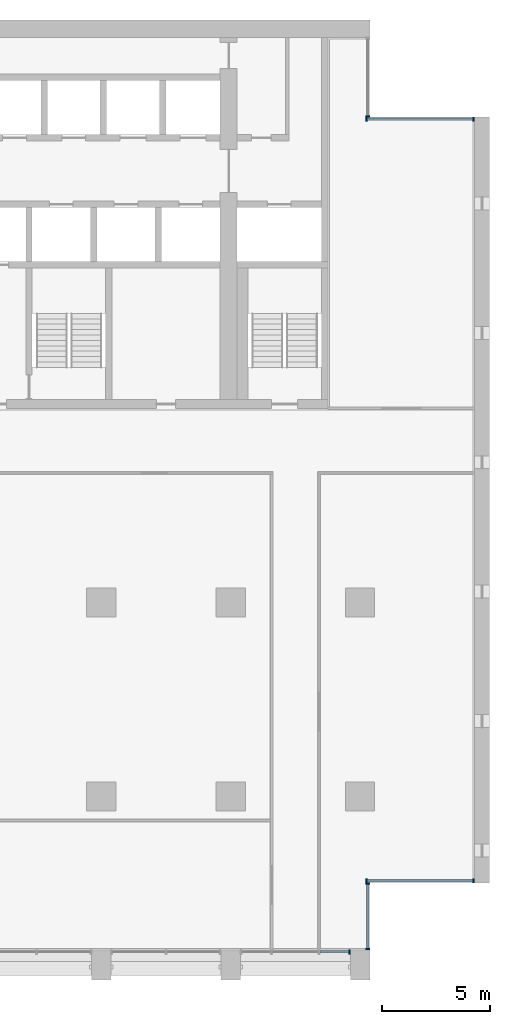
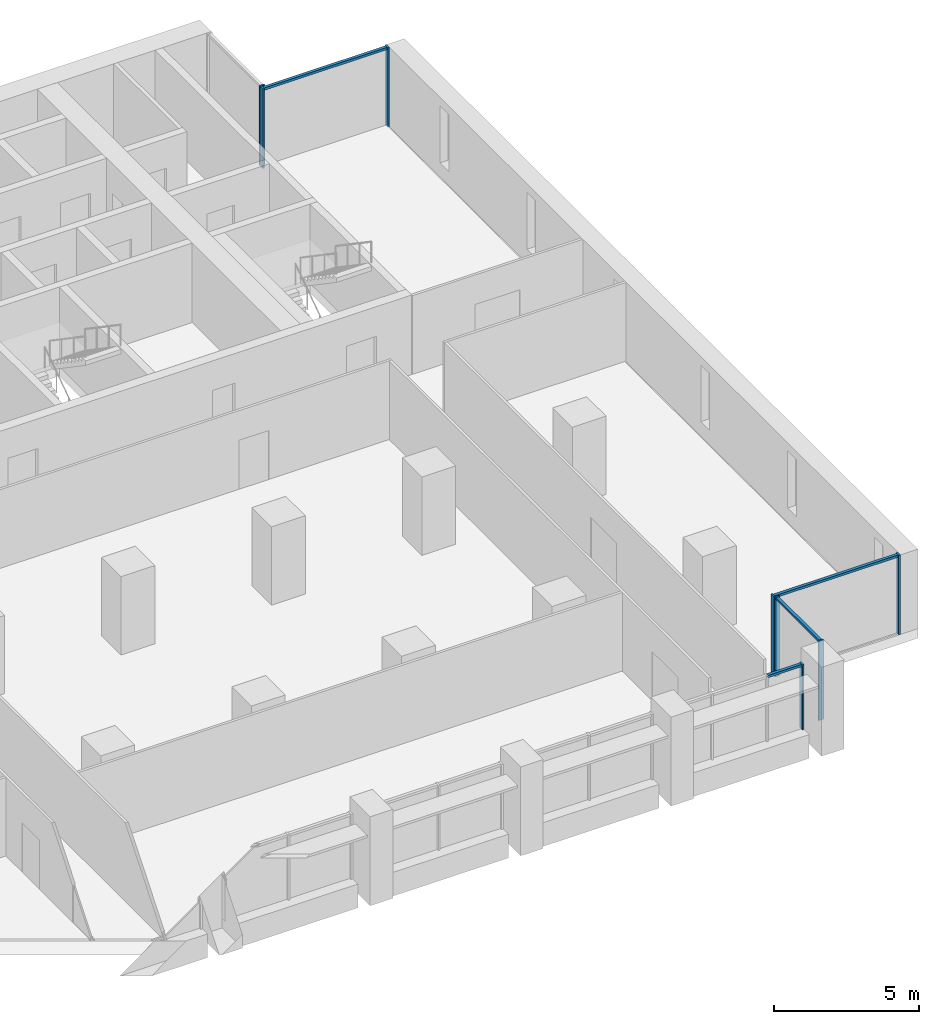
# One storey, part 5 of 15: 12 members, 5 elements without a shape of their own.
"""IFC4 building model written with IfcOpenShell, lengths in metres."""

from ifc_helpers import new_model, si_unit, direction, frame, origin, origin_2d, place, context, subcontext, project, spatial, rectangle, extrude, material, material_profile, profile_set, type_object, element, aggregate, save


model = new_model("IFC4")

# Units and contexts
model_context = context("Model", 3, precision=1e-05, world=origin(), true_north=direction((0.0, 1.0)))
body_context = subcontext(model_context, "Body", "Model", "MODEL_VIEW")
ifc_project = project(units=[si_unit("LENGTHUNIT", "METRE"), si_unit("AREAUNIT", "SQUARE_METRE"), si_unit("VOLUMEUNIT", "CUBIC_METRE"), si_unit("PLANEANGLEUNIT", "RADIAN"), si_unit("MASSUNIT", "GRAM", prefix="KILO")], contexts=[model_context])

# Site, building, storey
site_placement = place(None, origin())
site = spatial("IfcSite", under=ifc_project, at=site_placement, CompositionType="ELEMENT")
building_placement = place(site_placement, origin())
building = spatial("IfcBuilding", under=site, at=building_placement, Name="Calvaro Tower", CompositionType="ELEMENT")
storey_placement = place(building_placement, frame((0.0, 0.0, 117.5)))
storey = spatial("IfcBuildingStorey", under=building, at=storey_placement, Name="L29", CompositionType="ELEMENT", Elevation=117.5)

# Curtain wall, member
ifc_material_1 = material(Name="Anodised aluminium", Category="aluminium")
curtain_wall_type = type_object("IfcCurtainWallType", Name="Office curtain wall, middle zone", PredefinedType="NOTDEFINED", material=ifc_material_1)
curtain_wall_1_placement = place(storey_placement, origin())
curtain_wall_1 = element("IfcCurtainWall", 1, at=curtain_wall_1_placement, inside=storey, type_object=curtain_wall_type, Name="CW2 south curtain wall", PredefinedType="NOTDEFINED")
ifc_material_2 = material(Name="Anodised aluminium", Category="aluminium")
ifc_material_profile_1 = material_profile(ifc_material_2, rectangle(XDim=0.199951171875, YDim=0.070068359375, at=origin_2d()), Name="Mullion S2 70 x 200")
ifc_profile_set_1 = profile_set([ifc_material_profile_1], Name="Anodised aluminium")
member_type_1 = type_object("IfcMemberType", Name="Mullion S2 70 x 200", PredefinedType="MULLION", material=ifc_profile_set_1)
member_1_placement = place(storey_placement, frame((65.514892578125, 2.800048828125, 0.0), z_axis=(0.0, 0.0, 1.0), x_axis=(0.0, 1.0, 0.0)))
member_1 = element("IfcMember", 2, at=member_1_placement, type_object=member_type_1, Name="CW2 mullion 4", PredefinedType="MULLION", context=body_context, shape_type="SweptSolid", body=[
    extrude(rectangle(XDim=0.199951171875, YDim=0.070068359375, at=origin_2d()), origin(), (0.0, 0.0, 1.0), 2.75),
])

# Curtain wall, members
curtain_wall_2_placement = place(storey_placement, origin())
curtain_wall_2 = element("IfcCurtainWall", 3, at=curtain_wall_2_placement, inside=storey, type_object=curtain_wall_type, Name="CW2 corner curtain wall", PredefinedType="NOTDEFINED")
member_2_placement = place(storey_placement, frame((66.35009765625, 2.93505859375, 0.0), z_axis=(0.0, 0.0, 1.0), x_axis=(-1.0, 0.0, 0.0)))
member_2 = element("IfcMember", 4, at=member_2_placement, type_object=member_type_1, Name="CW2 mullion 1", PredefinedType="MULLION", context=body_context, shape_type="SweptSolid", body=[
    extrude(rectangle(XDim=0.199951171875, YDim=0.070068359375, at=origin_2d()), origin(), (0.0, 0.0, 1.0), 3.35009765625),
])
member_3_placement = place(storey_placement, frame((66.35009765625, 5.965087890625, 0.0), z_axis=(0.0, 0.0, 1.0), x_axis=(-1.0, 0.0, 0.0)))
member_3 = element("IfcMember", 5, at=member_3_placement, type_object=member_type_1, Name="CW2 mullion 2", PredefinedType="MULLION", context=body_context, shape_type="SweptSolid", body=[
    extrude(rectangle(XDim=0.199951171875, YDim=0.070068359375, at=origin_2d()), origin(), (0.0, 0.0, 1.0), 3.35009765625),
])

curtain_wall_3_placement = place(storey_placement, origin())
curtain_wall_3 = element("IfcCurtainWall", 6, at=curtain_wall_3_placement, inside=storey, type_object=curtain_wall_type, Name="CW2 corner curtain wall", PredefinedType="NOTDEFINED")
member_4_placement = place(storey_placement, frame((66.284912109375, 6.10009765625, 0.0), z_axis=(0.0, 0.0, 1.0), x_axis=(0.0, 1.0, 0.0)))
member_4 = element("IfcMember", 7, at=member_4_placement, type_object=member_type_1, Name="CW2 mullion 1", PredefinedType="MULLION", context=body_context, shape_type="SweptSolid", body=[
    extrude(rectangle(XDim=0.199951171875, YDim=0.070068359375, at=origin_2d()), origin(), (0.0, 0.0, 1.0), 3.35009765625),
])
member_5_placement = place(storey_placement, frame((71.264892578125, 6.10009765625, 0.0), z_axis=(0.0, 0.0, 1.0), x_axis=(0.0, 1.0, 0.0)))
member_5 = element("IfcMember", 8, at=member_5_placement, type_object=member_type_1, Name="CW2 mullion 2", PredefinedType="MULLION", context=body_context, shape_type="SweptSolid", body=[
    extrude(rectangle(XDim=0.199951171875, YDim=0.070068359375, at=origin_2d()), origin(), (0.0, 0.0, 1.0), 3.35009765625),
])

# Curtain wall, member
curtain_wall_4_placement = place(storey_placement, origin())
curtain_wall_4 = element("IfcCurtainWall", 9, at=curtain_wall_4_placement, inside=storey, type_object=curtain_wall_type, Name="CW2 corner curtain wall", PredefinedType="NOTDEFINED")
member_6_placement = place(storey_placement, frame((66.35009765625, 41.534912109375, 0.0), z_axis=(0.0, 0.0, 1.0), x_axis=(-1.0, 0.0, 0.0)))
member_6 = element("IfcMember", 10, at=member_6_placement, type_object=member_type_1, Name="CW2 mullion 1", PredefinedType="MULLION", context=body_context, shape_type="SweptSolid", body=[
    extrude(rectangle(XDim=0.199951171875, YDim=0.070068359375, at=origin_2d()), origin(), (0.0, 0.0, 1.0), 3.35009765625),
])
aggregate(curtain_wall_4, [member_6])

# Curtain wall, members
curtain_wall_5_placement = place(storey_placement, origin())
curtain_wall_5 = element("IfcCurtainWall", 11, at=curtain_wall_5_placement, inside=storey, type_object=curtain_wall_type, Name="CW2 corner curtain wall", PredefinedType="NOTDEFINED")
member_7_placement = place(storey_placement, frame((66.284912109375, 41.39990234375, 0.0), z_axis=(0.0, 0.0, 1.0), x_axis=(0.0, 1.0, 0.0)))
member_7 = element("IfcMember", 12, at=member_7_placement, type_object=member_type_1, Name="CW2 mullion 1", PredefinedType="MULLION", context=body_context, shape_type="SweptSolid", body=[
    extrude(rectangle(XDim=0.199951171875, YDim=0.070068359375, at=origin_2d()), origin(), (0.0, 0.0, 1.0), 3.35009765625),
])
member_8_placement = place(storey_placement, frame((71.264892578125, 41.39990234375, 0.0), z_axis=(0.0, 0.0, 1.0), x_axis=(0.0, 1.0, 0.0)))
member_8 = element("IfcMember", 13, at=member_8_placement, type_object=member_type_1, Name="CW2 mullion 2", PredefinedType="MULLION", context=body_context, shape_type="SweptSolid", body=[
    extrude(rectangle(XDim=0.199951171875, YDim=0.070068359375, at=origin_2d()), origin(), (0.0, 0.0, 1.0), 3.35009765625),
])

# Member
ifc_material_3 = material(Name="Anodised aluminium", Category="aluminium")
ifc_material_profile_2 = material_profile(ifc_material_3, rectangle(XDim=0.1201171875, YDim=0.10009765625, at=origin_2d()), Name="Transom S2 100 x 120")
ifc_profile_set_2 = profile_set([ifc_material_profile_2], Name="Anodised aluminium")
member_type_2 = type_object("IfcMemberType", Name="Transom S2 100 x 120", PredefinedType="USERDEFINED", material=ifc_profile_set_2)
member_9_placement = place(storey_placement, frame((64.135009765625, 2.800048828125, 2.699951171875), z_axis=(1.0, 0.0, 0.0), x_axis=(0.0, 1.0, 0.0)))
member_9 = element("IfcMember", 14, at=member_9_placement, type_object=member_type_2, Name="CW2 transom 3.1", ObjectType="TRANSOM", PredefinedType="USERDEFINED", context=body_context, shape_type="SweptSolid", body=[
    extrude(rectangle(XDim=0.1201171875, YDim=0.10009765625, at=origin_2d()), origin(), (0.0, 0.0, 1.0), 1.344970703125),
])

aggregate(curtain_wall_1, [member_1, member_9])

member_10_placement = place(storey_placement, frame((66.35009765625, 2.969970703125, 3.300048828125), z_axis=(0.0, 1.0, 0.0), x_axis=(-1.0, 0.0, 0.0)))
member_10 = element("IfcMember", 15, at=member_10_placement, type_object=member_type_2, Name="CW2 transom 1.1", ObjectType="TRANSOM", PredefinedType="USERDEFINED", context=body_context, shape_type="SweptSolid", body=[
    extrude(rectangle(XDim=0.1201171875, YDim=0.10009765625, at=origin_2d()), origin(), (0.0, 0.0, 1.0), 2.9599609375),
])

aggregate(curtain_wall_2, [member_2, member_3, member_10])

member_11_placement = place(storey_placement, frame((66.320068359375, 6.10009765625, 3.300048828125), z_axis=(1.0, 0.0, 0.0), x_axis=(0.0, 1.0, 0.0)))
member_11 = element("IfcMember", 16, at=member_11_placement, type_object=member_type_2, Name="CW2 transom 1.1", ObjectType="TRANSOM", PredefinedType="USERDEFINED", context=body_context, shape_type="SweptSolid", body=[
    extrude(rectangle(XDim=0.1201171875, YDim=0.10009765625, at=origin_2d()), origin(), (0.0, 0.0, 1.0), 4.909912109375),
])

aggregate(curtain_wall_3, [member_4, member_5, member_11])

member_12_placement = place(storey_placement, frame((66.320068359375, 41.39990234375, 3.300048828125), z_axis=(1.0, 0.0, 0.0), x_axis=(0.0, 1.0, 0.0)))
member_12 = element("IfcMember", 17, at=member_12_placement, type_object=member_type_2, Name="CW2 transom 1.1", ObjectType="TRANSOM", PredefinedType="USERDEFINED", context=body_context, shape_type="SweptSolid", body=[
    extrude(rectangle(XDim=0.1201171875, YDim=0.10009765625, at=origin_2d()), origin(), (0.0, 0.0, 1.0), 4.909912109375),
])

aggregate(curtain_wall_5, [member_7, member_8, member_12])

save(model, "model.ifc")
